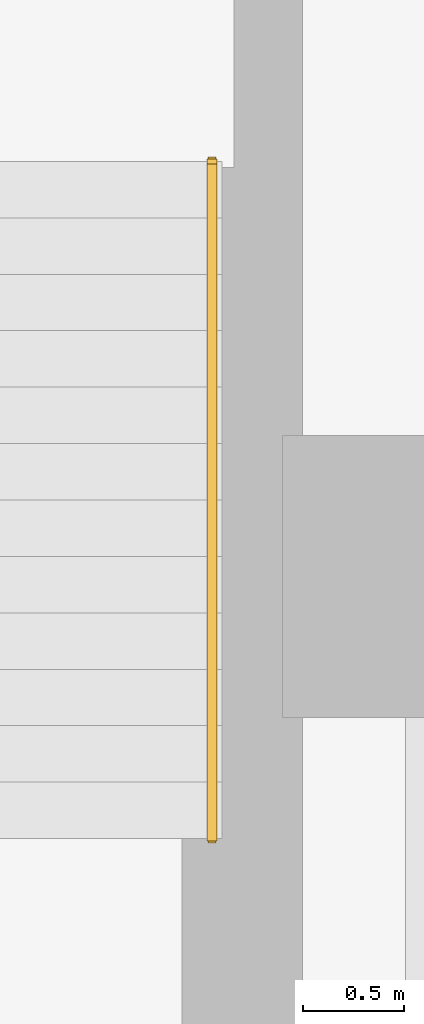
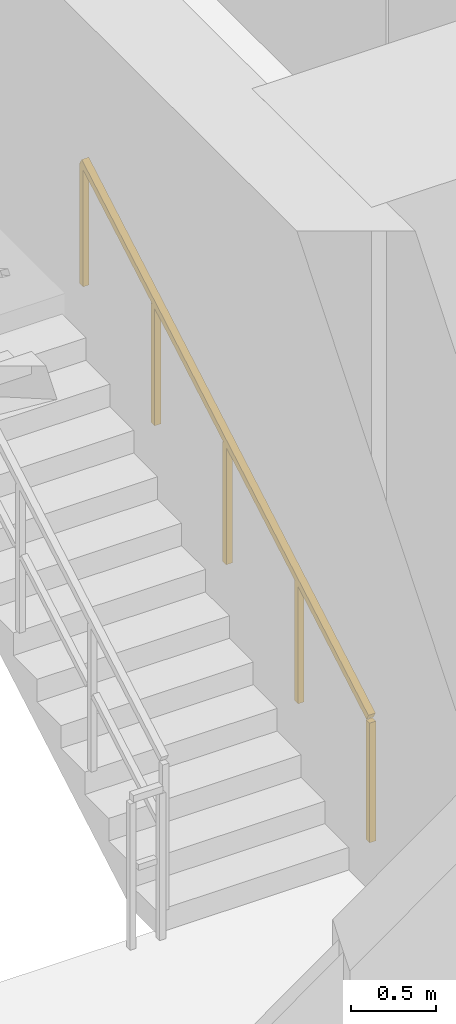
# One storey, part 33 of 33: 1 railing.
"""IFC4 building model written with IfcOpenShell, lengths in metres."""

from ifc_helpers import new_model, si_unit, direction, frame, origin, origin_2d, place, context, subcontext, project, spatial, rectangle, extrude, material, type_object, element, save


model = new_model("IFC4")

# Units and contexts
model_context = context("Model", 3, precision=1e-05, world=origin(), true_north=direction((0.0, 1.0)))
body_context = subcontext(model_context, "Body", "Model", "MODEL_VIEW")
ifc_project = project(units=[si_unit("LENGTHUNIT", "METRE"), si_unit("AREAUNIT", "SQUARE_METRE"), si_unit("VOLUMEUNIT", "CUBIC_METRE"), si_unit("PLANEANGLEUNIT", "RADIAN"), si_unit("MASSUNIT", "GRAM", prefix="KILO")], contexts=[model_context])

# Site, building, storey
site_placement = place(None, origin())
site = spatial("IfcSite", under=ifc_project, at=site_placement, CompositionType="ELEMENT")
building_placement = place(site_placement, origin())
building = spatial("IfcBuilding", under=site, at=building_placement, Name="Thornwick Lancets Civic Towers", CompositionType="ELEMENT")
storey_placement = place(building_placement, frame((0.0, 0.0, 49.5)))
storey = spatial("IfcBuildingStorey", under=building, at=storey_placement, Name="L12", CompositionType="ELEMENT", Elevation=49.5)

# Railing
ifc_material = material(Name="Brushed stainless steel S355", Category="steel")
railing_type = type_object("IfcRailingType", Name="RAIL_HANDRAIL", PredefinedType="HANDRAIL", material=ifc_material)
railing_placement = place(storey_placement, frame((100.449951171875, 20.89990234375, 0.16162109375)))
element("IfcRailing", 1, at=railing_placement, inside=storey, type_object=railing_type, Name="L12 ST-B1 stair handrail 1", PredefinedType="HANDRAIL", context=body_context, shape_type="SweptSolid", body=[
    extrude(rectangle(XDim=0.048095703125, YDim=0.048095703125, at=origin_2d()), frame((0.0, 0.0, 0.8857421875), z_axis=(0.0, 0.866190824863, 0.499713372768), x_axis=(-1.0, 0.0, 0.0)), (0.0, 0.0, 1.0), 3.879150390625),
    extrude(rectangle(XDim=0.0419921875, YDim=0.0419921875, at=origin_2d()), origin(), (0.0, 0.0, 1.0), 0.855712890625),
    extrude(rectangle(XDim=0.0419921875, YDim=0.0419921875, at=origin_2d()), frame((0.0, 0.840087890625, 0.484619140625)), (0.0, 0.0, 1.0), 0.855712890625),
    extrude(rectangle(XDim=0.0419921875, YDim=0.0419921875, at=origin_2d()), frame((0.0, 1.68017578125, 0.96923828125)), (0.0, 0.0, 1.0), 0.855712890625),
    extrude(rectangle(XDim=0.0419921875, YDim=0.0419921875, at=origin_2d()), frame((0.0, 2.52001953125, 1.453857421875)), (0.0, 0.0, 1.0), 0.855712890625),
    extrude(rectangle(XDim=0.0419921875, YDim=0.0419921875, at=origin_2d()), frame((0.0, 3.360107421875, 1.9384765625)), (0.0, 0.0, 1.0), 0.855712890625),
])

save(model, "model.ifc")
